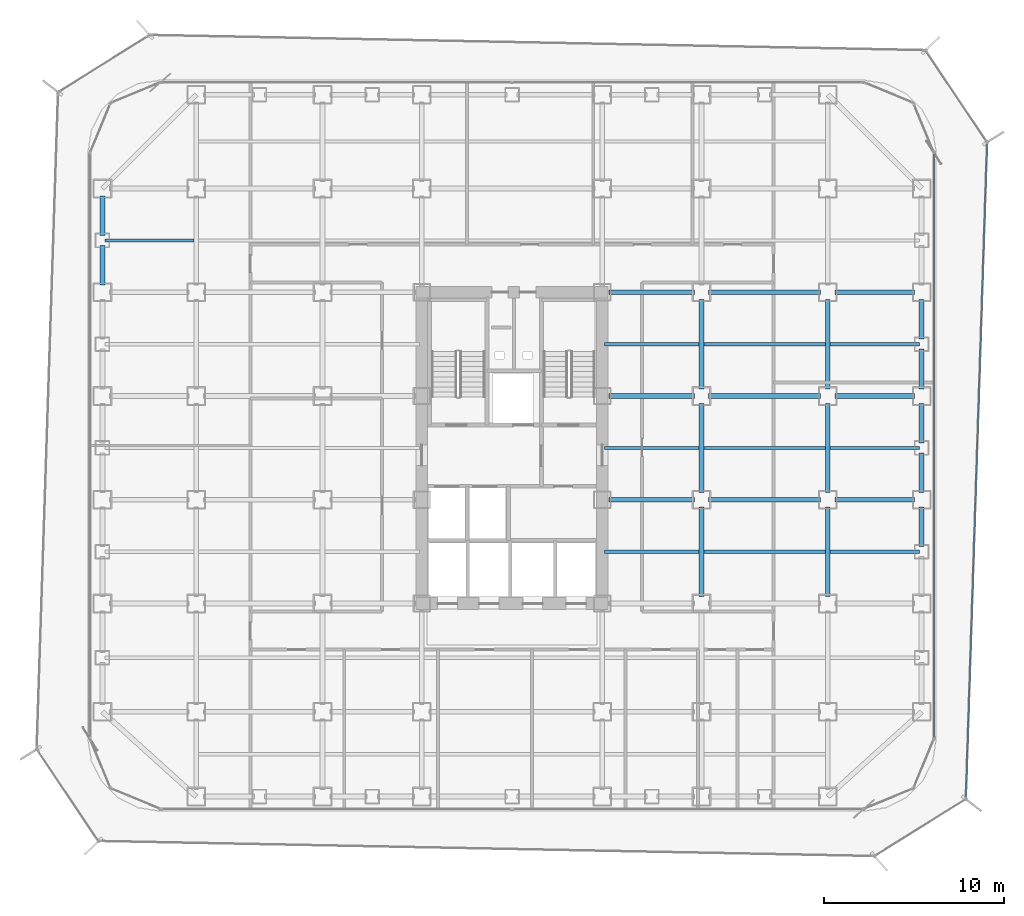
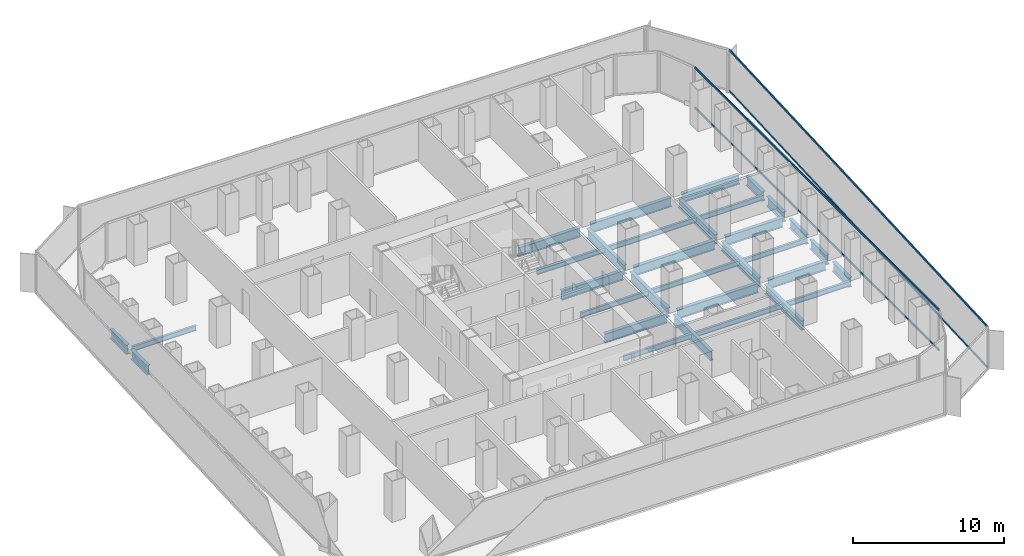
# One storey, part 9 of 22: 32 beams, 4 members, 2 elements without a shape of their own.
"""IFC4 building model written with IfcOpenShell, lengths in metres."""

from ifc_helpers import new_model, si_unit, direction, frame, origin, origin_2d, place, context, subcontext, project, spatial, hollow_rectangle, i_section, extrude, source, transform, mapped, material, layer, layer_set, material_profile, profile_set, type_object, element, aggregate, save


model = new_model("IFC4")

# Units and contexts
model_context = context("Model", 3, precision=1e-05, world=origin(), true_north=direction((0.0, 1.0)))
body_context = subcontext(model_context, "Body", "Model", "MODEL_VIEW")
ifc_project = project(units=[si_unit("LENGTHUNIT", "METRE"), si_unit("AREAUNIT", "SQUARE_METRE"), si_unit("VOLUMEUNIT", "CUBIC_METRE"), si_unit("PLANEANGLEUNIT", "RADIAN"), si_unit("MASSUNIT", "GRAM", prefix="KILO")], contexts=[model_context])

# Site, building, storey
site_placement = place(None, origin())
site = spatial("IfcSite", under=ifc_project, at=site_placement, CompositionType="ELEMENT")
building_placement = place(site_placement, origin())
building = spatial("IfcBuilding", under=site, at=building_placement, Name="Kolveth Station Tower", CompositionType="ELEMENT")
storey_placement = place(building_placement, frame((0.0, 0.0, 51.300048828125)))
storey = spatial("IfcBuildingStorey", under=building, at=storey_placement, Name="L13", CompositionType="ELEMENT", Elevation=51.300048828125)

# Beams
ifc_material_1 = material(Name="Steel S355", Category="steel")
ifc_material_profile_1 = material_profile(ifc_material_1, i_section(OverallWidth=0.26904296875, OverallDepth=0.77490234375, WebThickness=0.01708984375, FlangeThickness=0.0283203125, at=origin_2d()), Name="W760x220")
ifc_profile_set_1 = profile_set([ifc_material_profile_1], Name="Steel S355")
beam_type_1 = type_object("IfcBeamType", Name="Beam_SP1", PredefinedType="SPANDREL", material=ifc_profile_set_1)
shared_shape_1 = source(origin(), body_context, "Body", "SweptSolid", [
    extrude(i_section(OverallWidth=0.26904296875, OverallDepth=0.77490234375, WebThickness=0.01708984375, FlangeThickness=0.0283203125, at=origin_2d()), origin(), (0.0, 0.0, 1.0), 2.2001953125),
])
for number, where, z_axis, x_axis, name in (
    (1, (0.800048828125, 31.89990234375, -0.66748046875), (0.0, 1.0, 0.0), (-1.0, 0.0, 0.0), "L13 Perimeter Spandrel BM-L13-PW-10"),
    (2, (46.199951171875, 20.39990234375, -0.66748046875), (0.0, 1.0, 0.0), (-1.0, 0.0, 0.0), "L13 Perimeter Spandrel BM-L13-PE-6"),
    (3, (46.199951171875, 23.39990234375, -0.66748046875), (0.0, 1.0, 0.0), (-1.0, 0.0, 0.0), "L13 Perimeter Spandrel BM-L13-PE-7"),
):
    element("IfcBeam", number, at=place(storey_placement, frame(where, z_axis=z_axis, x_axis=x_axis)), inside=storey, type_object=beam_type_1, Name=name, PredefinedType="SPANDREL", context=body_context, shape_type="MappedRepresentation", body=[
        mapped(shared_shape_1, transform((0.0, 0.0, 0.0), x_axis=(1.0, 0.0, 0.0), y_axis=(0.0, 1.0, 0.0), z_axis=(0.0, 0.0, 1.0), scale=1.0)),
    ])
shared_shape_2 = source(origin(), body_context, "Body", "SweptSolid", [
    extrude(i_section(OverallWidth=0.26904296875, OverallDepth=0.77490234375, WebThickness=0.01708984375, FlangeThickness=0.0283203125, at=origin_2d()), origin(), (0.0, 0.0, 1.0), 2.190185546875),
])
for number, where, z_axis, x_axis, name in (
    (4, (0.800048828125, 29.14990234375, -0.66748046875), (0.0, 1.0, 0.0), (-1.0, 0.0, 0.0), "L13 Perimeter Spandrel BM-L13-PW-9"),
    (5, (46.199951171875, 14.659912109375, -0.66748046875), (0.0, 1.0, 0.0), (-1.0, 0.0, 0.0), "L13 Perimeter Spandrel BM-L13-PE-4"),
    (6, (46.199951171875, 17.64990234375, -0.66748046875), (0.0, 1.0, 0.0), (-1.0, 0.0, 0.0), "L13 Perimeter Spandrel BM-L13-PE-5"),
    (7, (46.199951171875, 26.159912109375, -0.66748046875), (0.0, 1.0, 0.0), (-1.0, 0.0, 0.0), "L13 Perimeter Spandrel BM-L13-PE-8"),
):
    element("IfcBeam", number, at=place(storey_placement, frame(where, z_axis=z_axis, x_axis=x_axis)), inside=storey, type_object=beam_type_1, Name=name, PredefinedType="SPANDREL", context=body_context, shape_type="MappedRepresentation", body=[
        mapped(shared_shape_2, transform((0.0, 0.0, 0.0), x_axis=(1.0, 0.0, 0.0), y_axis=(0.0, 1.0, 0.0), z_axis=(0.0, 0.0, 1.0), scale=1.0)),
    ])
ifc_material_profile_2 = material_profile(ifc_material_1, i_section(OverallWidth=0.26708984375, OverallDepth=0.76611328125, WebThickness=0.014892578125, FlangeThickness=0.023681640625, at=origin_2d()), Name="W760x185")
ifc_profile_set_2 = profile_set([ifc_material_profile_2], Name="Steel S355")
beam_type_2 = type_object("IfcBeamType", Name="Beam_B3", PredefinedType="BEAM", material=ifc_profile_set_2)
shared_shape_3 = source(origin(), body_context, "Body", "SweptSolid", [
    extrude(i_section(OverallWidth=0.26708984375, OverallDepth=0.76611328125, WebThickness=0.014892578125, FlangeThickness=0.023681640625, at=origin_2d()), origin(), (0.0, 0.0, 1.0), 4.400146484375),
])
for number, where, z_axis, x_axis, name in (
    (8, (41.39990234375, 17.25, -0.6630859375), (1.0, 0.0, 0.0), (0.0, 1.0, 0.0), "L13 Primary Girder BM-L13-GY172-7"),
    (9, (41.39990234375, 23.0, -0.6630859375), (1.0, 0.0, 0.0), (0.0, 1.0, 0.0), "L13 Primary Girder BM-L13-GY230-7"),
    (10, (41.39990234375, 28.75, -0.6630859375), (1.0, 0.0, 0.0), (0.0, 1.0, 0.0), "L13 Primary Girder BM-L13-GY287-7"),
):
    element("IfcBeam", number, at=place(storey_placement, frame(where, z_axis=z_axis, x_axis=x_axis)), inside=storey, type_object=beam_type_2, Name=name, PredefinedType="BEAM", context=body_context, shape_type="MappedRepresentation", body=[
        mapped(shared_shape_3, transform((0.0, 0.0, 0.0), x_axis=(1.0, 0.0, 0.0), y_axis=(0.0, 1.0, 0.0), z_axis=(0.0, 0.0, 1.0), scale=1.0)),
    ])
shared_shape_4 = source(origin(), body_context, "Body", "SweptSolid", [
    extrude(i_section(OverallWidth=0.26708984375, OverallDepth=0.76611328125, WebThickness=0.014892578125, FlangeThickness=0.023681640625, at=origin_2d()), origin(), (0.0, 0.0, 1.0), 6.2001953125),
])
for number, where, z_axis, x_axis, name in (
    (11, (34.39990234375, 17.25, -0.6630859375), (1.0, 0.0, 0.0), (0.0, 1.0, 0.0), "L13 Primary Girder BM-L13-GY172-6"),
    (12, (34.39990234375, 23.0, -0.6630859375), (1.0, 0.0, 0.0), (0.0, 1.0, 0.0), "L13 Primary Girder BM-L13-GY230-6"),
    (13, (34.39990234375, 28.75, -0.6630859375), (1.0, 0.0, 0.0), (0.0, 1.0, 0.0), "L13 Primary Girder BM-L13-GY287-6"),
):
    element("IfcBeam", number, at=place(storey_placement, frame(where, z_axis=z_axis, x_axis=x_axis)), inside=storey, type_object=beam_type_2, Name=name, PredefinedType="BEAM", context=body_context, shape_type="MappedRepresentation", body=[
        mapped(shared_shape_4, transform((0.0, 0.0, 0.0), x_axis=(1.0, 0.0, 0.0), y_axis=(0.0, 1.0, 0.0), z_axis=(0.0, 0.0, 1.0), scale=1.0)),
    ])
shared_shape_5 = source(origin(), body_context, "Body", "SweptSolid", [
    extrude(i_section(OverallWidth=0.26708984375, OverallDepth=0.76611328125, WebThickness=0.014892578125, FlangeThickness=0.023681640625, at=origin_2d()), origin(), (0.0, 0.0, 1.0), 4.739990234375),
])
for number, where, z_axis, x_axis, name in (
    (14, (28.860107421875, 17.25, -0.6630859375), (1.0, 0.0, 0.0), (0.0, 1.0, 0.0), "L13 Primary Girder BM-L13-GY172-5"),
    (15, (28.860107421875, 23.0, -0.6630859375), (1.0, 0.0, 0.0), (0.0, 1.0, 0.0), "L13 Primary Girder BM-L13-GY230-5"),
    (16, (28.860107421875, 28.75, -0.6630859375), (1.0, 0.0, 0.0), (0.0, 1.0, 0.0), "L13 Primary Girder BM-L13-GY287-5"),
):
    element("IfcBeam", number, at=place(storey_placement, frame(where, z_axis=z_axis, x_axis=x_axis)), inside=storey, type_object=beam_type_2, Name=name, PredefinedType="BEAM", context=body_context, shape_type="MappedRepresentation", body=[
        mapped(shared_shape_5, transform((0.0, 0.0, 0.0), x_axis=(1.0, 0.0, 0.0), y_axis=(0.0, 1.0, 0.0), z_axis=(0.0, 0.0, 1.0), scale=1.0)),
    ])
shared_shape_6 = source(origin(), body_context, "Body", "SweptSolid", [
    extrude(i_section(OverallWidth=0.26708984375, OverallDepth=0.76611328125, WebThickness=0.014892578125, FlangeThickness=0.023681640625, at=origin_2d()), origin(), (0.0, 0.0, 1.0), 4.9501953125),
])
for number, where, z_axis, x_axis, name in (
    (17, (34.0, 11.89990234375, -0.6630859375), (0.0, 1.0, 0.0), (-1.0, 0.0, 0.0), "L13 Primary Girder BM-L13-GX340-3"),
    (18, (34.0, 17.64990234375, -0.6630859375), (0.0, 1.0, 0.0), (-1.0, 0.0, 0.0), "L13 Primary Girder BM-L13-GX340-4"),
    (19, (34.0, 23.39990234375, -0.6630859375), (0.0, 1.0, 0.0), (-1.0, 0.0, 0.0), "L13 Primary Girder BM-L13-GX340-5"),
    (20, (41.0, 11.89990234375, -0.6630859375), (0.0, 1.0, 0.0), (-1.0, 0.0, 0.0), "L13 Primary Girder BM-L13-GX410-3"),
    (21, (41.0, 17.64990234375, -0.6630859375), (0.0, 1.0, 0.0), (-1.0, 0.0, 0.0), "L13 Primary Girder BM-L13-GX410-4"),
    (22, (41.0, 23.39990234375, -0.6630859375), (0.0, 1.0, 0.0), (-1.0, 0.0, 0.0), "L13 Primary Girder BM-L13-GX410-5"),
):
    element("IfcBeam", number, at=place(storey_placement, frame(where, z_axis=z_axis, x_axis=x_axis)), inside=storey, type_object=beam_type_2, Name=name, PredefinedType="BEAM", context=body_context, shape_type="MappedRepresentation", body=[
        mapped(shared_shape_6, transform((0.0, 0.0, 0.0), x_axis=(1.0, 0.0, 0.0), y_axis=(0.0, 1.0, 0.0), z_axis=(0.0, 0.0, 1.0), scale=1.0)),
    ])
ifc_material_profile_3 = material_profile(ifc_material_1, i_section(OverallWidth=0.177978515625, OverallDepth=0.406982421875, WebThickness=0.0078125, FlangeThickness=0.0126953125, at=origin_2d()), Name="W410x60")
ifc_profile_set_3 = profile_set([ifc_material_profile_3], Name="Steel S355")
beam_type_3 = type_object("IfcBeamType", Name="Beam_J1", PredefinedType="JOIST", material=ifc_profile_set_3)
shared_shape_7 = source(origin(), body_context, "Body", "SweptSolid", [
    extrude(i_section(OverallWidth=0.177978515625, OverallDepth=0.406982421875, WebThickness=0.0078125, FlangeThickness=0.0126953125, at=origin_2d()), origin(), (0.0, 0.0, 1.0), 4.935791015625),
])
for number, where, z_axis, x_axis, name in (
    (23, (0.9326171875, 31.625, -0.483642578125), (1.0, 0.0, 0.0), (0.0, 1.0, 0.0), "L13 Secondary Joist JST-L13-1-6"),
    (24, (41.131591796875, 14.375, -0.483642578125), (1.0, 0.0, 0.0), (0.0, 1.0, 0.0), "L13 Secondary Joist JST-L13-7-3"),
    (25, (41.131591796875, 20.125, -0.483642578125), (1.0, 0.0, 0.0), (0.0, 1.0, 0.0), "L13 Secondary Joist JST-L13-7-4"),
    (26, (41.131591796875, 25.875, -0.483642578125), (1.0, 0.0, 0.0), (0.0, 1.0, 0.0), "L13 Secondary Joist JST-L13-7-5"),
):
    element("IfcBeam", number, at=place(storey_placement, frame(where, z_axis=z_axis, x_axis=x_axis)), inside=storey, type_object=beam_type_3, Name=name, PredefinedType="JOIST", context=body_context, shape_type="MappedRepresentation", body=[
        mapped(shared_shape_7, transform((0.0, 0.0, 0.0), x_axis=(1.0, 0.0, 0.0), y_axis=(0.0, 1.0, 0.0), z_axis=(0.0, 0.0, 1.0), scale=1.0)),
    ])
shared_shape_8 = source(origin(), body_context, "Body", "SweptSolid", [
    extrude(i_section(OverallWidth=0.177978515625, OverallDepth=0.406982421875, WebThickness=0.0078125, FlangeThickness=0.0126953125, at=origin_2d()), origin(), (0.0, 0.0, 1.0), 6.73681640625),
])
for number, where, z_axis, x_axis, name in (
    (27, (34.131591796875, 14.375, -0.483642578125), (1.0, 0.0, 0.0), (0.0, 1.0, 0.0), "L13 Secondary Joist JST-L13-6-3"),
    (28, (34.131591796875, 20.125, -0.483642578125), (1.0, 0.0, 0.0), (0.0, 1.0, 0.0), "L13 Secondary Joist JST-L13-6-4"),
    (29, (34.131591796875, 25.875, -0.483642578125), (1.0, 0.0, 0.0), (0.0, 1.0, 0.0), "L13 Secondary Joist JST-L13-6-5"),
):
    element("IfcBeam", number, at=place(storey_placement, frame(where, z_axis=z_axis, x_axis=x_axis)), inside=storey, type_object=beam_type_3, Name=name, PredefinedType="JOIST", context=body_context, shape_type="MappedRepresentation", body=[
        mapped(shared_shape_8, transform((0.0, 0.0, 0.0), x_axis=(1.0, 0.0, 0.0), y_axis=(0.0, 1.0, 0.0), z_axis=(0.0, 0.0, 1.0), scale=1.0)),
    ])
shared_shape_9 = source(origin(), body_context, "Body", "SweptSolid", [
    extrude(i_section(OverallWidth=0.177978515625, OverallDepth=0.406982421875, WebThickness=0.0078125, FlangeThickness=0.0126953125, at=origin_2d()), origin(), (0.0, 0.0, 1.0), 5.23681640625),
])
for number, where, z_axis, x_axis, name in (
    (30, (28.631591796875, 14.375, -0.483642578125), (1.0, 0.0, 0.0), (0.0, 1.0, 0.0), "L13 Secondary Joist JST-L13-5-3"),
    (31, (28.631591796875, 20.125, -0.483642578125), (1.0, 0.0, 0.0), (0.0, 1.0, 0.0), "L13 Secondary Joist JST-L13-5-4"),
    (32, (28.631591796875, 25.875, -0.483642578125), (1.0, 0.0, 0.0), (0.0, 1.0, 0.0), "L13 Secondary Joist JST-L13-5-5"),
):
    element("IfcBeam", number, at=place(storey_placement, frame(where, z_axis=z_axis, x_axis=x_axis)), inside=storey, type_object=beam_type_3, Name=name, PredefinedType="JOIST", context=body_context, shape_type="MappedRepresentation", body=[
        mapped(shared_shape_9, transform((0.0, 0.0, 0.0), x_axis=(1.0, 0.0, 0.0), y_axis=(0.0, 1.0, 0.0), z_axis=(0.0, 0.0, 1.0), scale=1.0)),
    ])

# Curtain wall, members
ifc_material_2 = material(Name="Aluminium 6063-T6 and low-E dark glass", Category="aluminium")
ifc_layer_1 = layer(ifc_material_2, 0.179931640625)
ifc_layer_set_1 = layer_set([ifc_layer_1], Name="Aluminium 6063-T6 and low-E dark glass")
curtain_wall_type_1 = type_object("IfcCurtainWallType", Name="CurtainWall_CW-Z1", PredefinedType="NOTDEFINED", material=ifc_layer_set_1)
curtain_wall_1_placement = place(storey_placement, origin())
curtain_wall_1 = element("IfcCurtainWall", 33, at=curtain_wall_1_placement, inside=storey, type_object=curtain_wall_type_1, Name="L13 Inner Thermal Curtain Wall 3", PredefinedType="NOTDEFINED")
ifc_material_3 = material(Name="Black anodized aluminium 6063-T6", Category="aluminium")
ifc_material_profile_4 = material_profile(ifc_material_3, hollow_rectangle(XDim=0.074951171875, YDim=0.159912109375, WallThickness=0.0048828125, at=origin_2d()), Name="ALU-75x160x5")
ifc_profile_set_4 = profile_set([ifc_material_profile_4], Name="Black anodized aluminium 6063-T6")
member_type_1 = type_object("IfcMemberType", Name="Transom_TR1", PredefinedType="USERDEFINED", material=ifc_profile_set_4)
shared_shape_10 = source(origin(), body_context, "Body", "SweptSolid", [
    extrude(hollow_rectangle(XDim=0.074951171875, YDim=0.159912109375, WallThickness=0.0048828125, at=origin_2d()), origin(), (0.0, 0.0, 1.0), 32.35009765625),
])
member_1_placement = place(storey_placement, frame((46.8798828125, 4.074951171875, 0.037353515625), z_axis=(0.0, 1.0, 0.0), x_axis=(-1.0, 0.0, 0.0)))
member_1 = element("IfcMember", 34, at=member_1_placement, type_object=member_type_1, Name="CW-Z1 transom 1.1", ObjectType="TRANSOM", PredefinedType="USERDEFINED", context=body_context, shape_type="MappedRepresentation", body=[
    mapped(shared_shape_10, transform((0.0, 0.0, 0.0), x_axis=(1.0, 0.0, 0.0), y_axis=(0.0, 1.0, 0.0), z_axis=(0.0, 0.0, 1.0), scale=1.0)),
])
member_2_placement = place(storey_placement, frame((46.8798828125, 4.074951171875, 3.282470703125), z_axis=(0.0, 1.0, 0.0), x_axis=(-1.0, 0.0, 0.0)))
member_2 = element("IfcMember", 35, at=member_2_placement, type_object=member_type_1, Name="CW-Z1 transom 1.2", ObjectType="TRANSOM", PredefinedType="USERDEFINED", context=body_context, shape_type="MappedRepresentation", body=[
    mapped(shared_shape_10, transform((0.0, 0.0, 0.0), x_axis=(1.0, 0.0, 0.0), y_axis=(0.0, 1.0, 0.0), z_axis=(0.0, 0.0, 1.0), scale=1.0)),
])
aggregate(curtain_wall_1, [member_1, member_2])

ifc_material_4 = material(Name="Black anodized aluminium 6063-T6 and dark solar glass", Category="aluminium")
ifc_layer_2 = layer(ifc_material_4, 0.159912109375)
ifc_layer_set_2 = layer_set([ifc_layer_2], Name="Black anodized aluminium 6063-T6 and dark solar glass")
curtain_wall_type_2 = type_object("IfcCurtainWallType", Name="OUTER SKIN CW-OS", PredefinedType="NOTDEFINED", material=ifc_layer_set_2)
curtain_wall_2_placement = place(storey_placement, origin())
curtain_wall_2 = element("IfcCurtainWall", 36, at=curtain_wall_2_placement, inside=storey, type_object=curtain_wall_type_2, Name="L13 Outer Ventilated Skin Curtain Wall 2", PredefinedType="NOTDEFINED")
ifc_material_profile_5 = material_profile(ifc_material_3, hollow_rectangle(XDim=0.080078125, YDim=0.14990234375, WallThickness=0.0048828125, at=origin_2d()), Name="ALU-80x150x5")
ifc_profile_set_5 = profile_set([ifc_material_profile_5], Name="Black anodized aluminium 6063-T6")
member_type_2 = type_object("IfcMemberType", Name="Transom_TR-OS", PredefinedType="USERDEFINED", material=ifc_profile_set_5)
shared_shape_11 = source(origin(), body_context, "Body", "SweptSolid", [
    extrude(hollow_rectangle(XDim=0.080078125, YDim=0.14990234375, WallThickness=0.0048828125, at=origin_2d()), origin(), (0.0, 0.0, 1.0), 36.240478515625),
])
member_3_placement = place(storey_placement, frame((48.657470703125, 0.75390625, 0.0400390625), z_axis=(0.032363079479, 0.999476178349, 0.0), x_axis=(-0.999476178349, 0.032363079479, 0.0)))
member_3 = element("IfcMember", 37, at=member_3_placement, type_object=member_type_2, Name="CW-OS transom 1.1", ObjectType="TRANSOM", PredefinedType="USERDEFINED", context=body_context, shape_type="MappedRepresentation", body=[
    mapped(shared_shape_11, transform((0.0, 0.0, 0.0), x_axis=(1.0, 0.0, 0.0), y_axis=(0.0, 1.0, 0.0), z_axis=(0.0, 0.0, 1.0), scale=1.0)),
])
member_4_placement = place(storey_placement, frame((48.657470703125, 0.75390625, 3.349853515625), z_axis=(0.032363079479, 0.999476178349, 0.0), x_axis=(-0.999476178349, 0.032363079479, 0.0)))
member_4 = element("IfcMember", 38, at=member_4_placement, type_object=member_type_2, Name="CW-OS transom 1.2", ObjectType="TRANSOM", PredefinedType="USERDEFINED", context=body_context, shape_type="MappedRepresentation", body=[
    mapped(shared_shape_11, transform((0.0, 0.0, 0.0), x_axis=(1.0, 0.0, 0.0), y_axis=(0.0, 1.0, 0.0), z_axis=(0.0, 0.0, 1.0), scale=1.0)),
])
aggregate(curtain_wall_2, [member_3, member_4])

save(model, "model.ifc")
